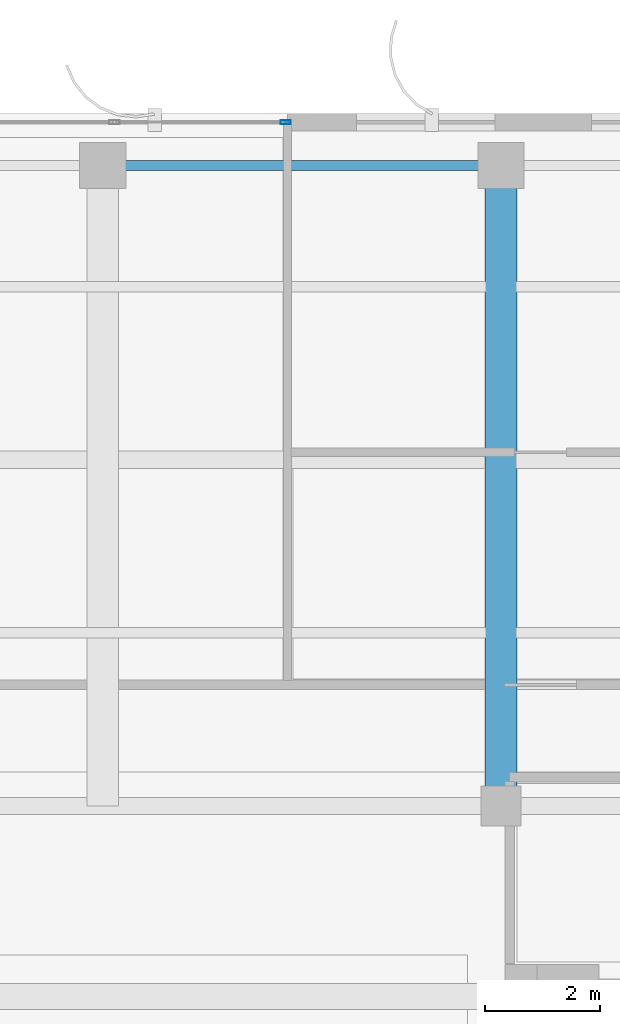
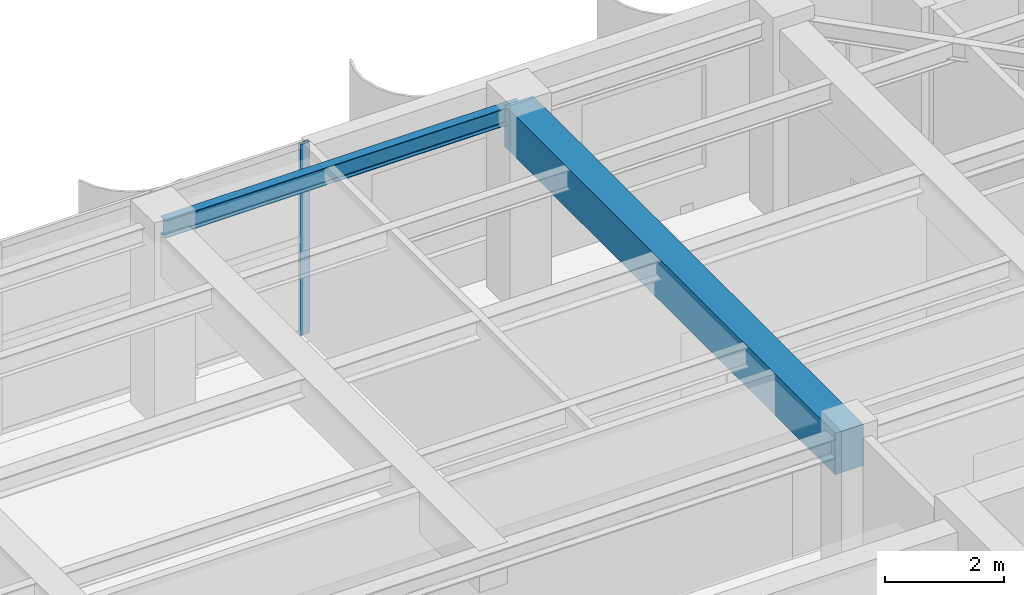
# One storey, part 18 of 26: 2 beams, 1 member, 1 element without a shape of its own.
"""IFC4 building model written with IfcOpenShell, lengths in metres."""

from ifc_helpers import new_model, si_unit, direction, frame, origin, origin_2d, place, context, subcontext, project, spatial, rectangle, hollow_rectangle, i_section, extrude, source, transform, mapped, material, layer, layer_set, material_profile, profile_set, type_object, element, aggregate, save


model = new_model("IFC4")

# Units and contexts
model_context = context("Model", 3, precision=1e-05, world=origin(), true_north=direction((0.0, 1.0)))
body_context = subcontext(model_context, "Body", "Model", "MODEL_VIEW")
ifc_project = project(units=[si_unit("LENGTHUNIT", "METRE"), si_unit("AREAUNIT", "SQUARE_METRE"), si_unit("VOLUMEUNIT", "CUBIC_METRE"), si_unit("PLANEANGLEUNIT", "RADIAN"), si_unit("MASSUNIT", "GRAM", prefix="KILO")], contexts=[model_context])

# Site, building, storey
site_placement = place(None, origin())
site = spatial("IfcSite", under=ifc_project, at=site_placement, CompositionType="ELEMENT")
building_placement = place(site_placement, origin())
building = spatial("IfcBuilding", under=site, at=building_placement, Name="Khoralis Quay Care Tower", CompositionType="ELEMENT")
storey_placement = place(building_placement, frame((0.0, 0.0, 289.5)))
storey = spatial("IfcBuildingStorey", under=building, at=storey_placement, Name="L76", CompositionType="ELEMENT", Elevation=289.5)

# Beams
ifc_material_1 = material(Name="Concrete C50/60", Category="concrete")
ifc_material_profile_1 = material_profile(ifc_material_1, rectangle(XDim=0.550048828125, YDim=0.85009765625, at=origin_2d()), Name="Concrete C50/60")
ifc_profile_set_1 = profile_set([ifc_material_profile_1], Name="Concrete C50/60")
beam_type_1 = type_object("IfcBeamType", Name="BM-RC550X850", PredefinedType="BEAM", material=ifc_profile_set_1)
shared_shape_1 = source(origin(), body_context, "Body", "SweptSolid", [
    extrude(rectangle(XDim=0.550048828125, YDim=0.85009765625, at=origin_2d()), origin(), (0.0, 0.0, 1.0), 11.10009765625),
])
beam_1_placement = place(storey_placement, frame((30.89990234375, 30.0, 3.4951171875), z_axis=(0.0, 1.0, 0.0), x_axis=(-1.0, 0.0, 0.0)))
element("IfcBeam", 1, at=beam_1_placement, inside=storey, type_object=beam_type_1, Name="BM-TGYN-L76-309", PredefinedType="BEAM", context=body_context, shape_type="MappedRepresentation", body=[
    mapped(shared_shape_1, transform((0.0, 0.0, 0.0), scale=1.0)),
])
ifc_material_2 = material(Name="Steel S355", Category="steel")
ifc_material_profile_2 = material_profile(ifc_material_2, i_section(OverallWidth=0.169921875, OverallDepth=0.360107421875, WebThickness=0.008056640625, FlangeThickness=0.0126953125, FilletRadius=0.01806640625, at=origin_2d()), Name="Steel S355")
ifc_profile_set_2 = profile_set([ifc_material_profile_2], Name="Steel S355")
beam_type_2 = type_object("IfcBeamType", Name="BM-IPE360", PredefinedType="SPANDREL", material=ifc_profile_set_2)
shared_shape_2 = source(origin(), body_context, "Body", "SweptSolid", [
    extrude(i_section(OverallWidth=0.169921875, OverallDepth=0.360107421875, WebThickness=0.008056640625, FlangeThickness=0.0126953125, FilletRadius=0.01806640625, at=origin_2d()), origin(), (0.0, 0.0, 1.0), 6.89990234375),
])
beam_2_placement = place(storey_placement, frame((24.0, 41.10009765625, 3.739990234375), z_axis=(1.0, 0.0, 0.0), x_axis=(0.0, 1.0, 0.0)))
element("IfcBeam", 2, at=beam_2_placement, inside=storey, type_object=beam_type_2, Name="BM-TSP-L76-07", PredefinedType="SPANDREL", context=body_context, shape_type="MappedRepresentation", body=[
    mapped(shared_shape_2, transform((0.0, 0.0, 0.0), scale=1.0)),
])

# Curtain wall, member
ifc_material_3 = material(Name="Pale anodised aluminium", Category="aluminium")
ifc_layer = layer(ifc_material_3, 0.159912109375)
ifc_layer_set = layer_set([ifc_layer], Name="Pale anodised aluminium")
curtain_wall_type = type_object("IfcCurtainWallType", Name="CW-SYS-Z3", PredefinedType="NOTDEFINED", material=ifc_layer_set)
curtain_wall_placement = place(storey_placement, origin())
curtain_wall = element("IfcCurtainWall", 3, at=curtain_wall_placement, inside=storey, type_object=curtain_wall_type, Name="L76 Unitised Curtain Wall CW-L76-P1-E10", PredefinedType="NOTDEFINED")
ifc_material_profile_3 = material_profile(ifc_material_3, hollow_rectangle(XDim=0.06494140625, YDim=0.179931640625, WallThickness=0.00390625, at=origin_2d()), Name="Pale anodised aluminium")
ifc_profile_set_3 = profile_set([ifc_material_profile_3], Name="Pale anodised aluminium")
member_type = type_object("IfcMemberType", Name="CW-MUL-180", PredefinedType="MULLION", material=ifc_profile_set_3)
shared_shape_3 = source(origin(), body_context, "Body", "SweptSolid", [
    extrude(hollow_rectangle(XDim=0.06494140625, YDim=0.179931640625, WallThickness=0.00390625, at=origin_2d()), origin(), (0.0, 0.0, 1.0), 3.919921875),
])
member_placement = place(storey_placement, frame((27.169921875, 41.85009765625, 0.0), z_axis=(0.0, 0.0, 1.0), x_axis=(0.0, -1.0, 0.0)))
member = element("IfcMember", 4, at=member_placement, type_object=member_type, Name="CW3 mullion 1", PredefinedType="MULLION", context=body_context, shape_type="MappedRepresentation", body=[
    mapped(shared_shape_3, transform((0.0, 0.0, 0.0), scale=1.0)),
])
aggregate(curtain_wall, [member])

save(model, "model.ifc")
